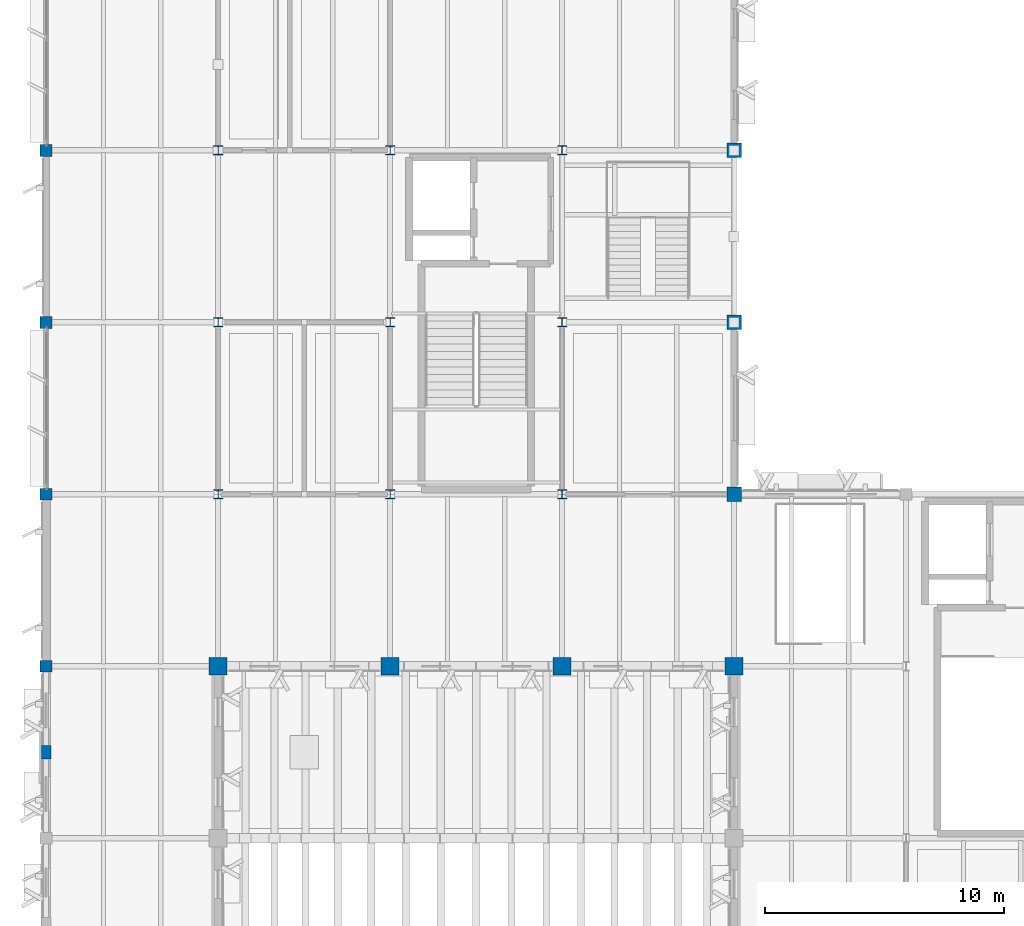
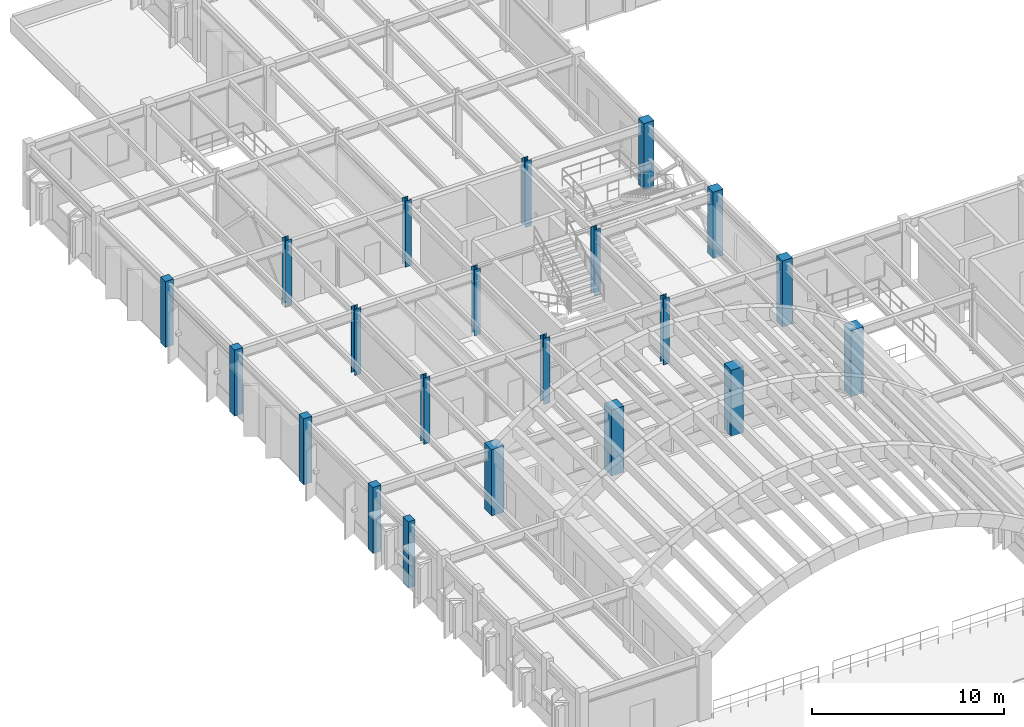
# One storey, part 3 of 85: 21 columns.
"""IFC4 building model written with IfcOpenShell, lengths in metres."""

from ifc_helpers import new_model, si_unit, direction, frame, origin, origin_2d, place, context, subcontext, project, spatial, rectangle, i_section, extrude, material, material_profile, profile_set, type_object, element, save


model = new_model("IFC4")

# Units and contexts
model_context = context("Model", 3, precision=1e-05, world=origin(), true_north=direction((0.0, 1.0)))
body_context = subcontext(model_context, "Body", "Model", "MODEL_VIEW")
ifc_project = project(units=[si_unit("LENGTHUNIT", "METRE"), si_unit("AREAUNIT", "SQUARE_METRE"), si_unit("VOLUMEUNIT", "CUBIC_METRE"), si_unit("PLANEANGLEUNIT", "RADIAN"), si_unit("MASSUNIT", "GRAM", prefix="KILO")], contexts=[model_context])

# Site, building, storey
site_placement = place(None, origin())
site = spatial("IfcSite", under=ifc_project, at=site_placement, CompositionType="ELEMENT")
building_placement = place(site_placement, origin())
building = spatial("IfcBuilding", under=site, at=building_placement, Name="Sillqori Civic Hall", CompositionType="ELEMENT")
storey_placement = place(building_placement, frame((0.0, 0.0, 9.89990234375)))
storey = spatial("IfcBuildingStorey", under=building, at=storey_placement, Name="L03", CompositionType="ELEMENT", Elevation=9.89990234375)

# Columns
ifc_material_1 = material(Name="Concrete C35/45 (H35)", Category="concrete")
ifc_material_profile_1 = material_profile(ifc_material_1, rectangle(XDim=0.5, YDim=0.5, at=origin_2d()), Name="RC 500x500")
ifc_profile_set_1 = profile_set([ifc_material_profile_1], Name="Concrete C35/45 (H35)")
column_type_1 = type_object("IfcColumnType", Name="COL-RC500", PredefinedType="COLUMN", material=ifc_profile_set_1)
for number, where, z_axis, x_axis, name in (
    (1, (7.199951171875, 43.199951171875, 0.0), (0.0, 0.0, 1.0), (1.0, 0.0, 0.0), "L03 column 1-6"),
    (2, (7.199951171875, 50.39990234375, 0.0), (0.0, 0.0, 1.0), (1.0, 0.0, 0.0), "L03 column 1-7"),
    (3, (7.199951171875, 57.60009765625, 0.0), (0.0, 0.0, 1.0), (1.0, 0.0, 0.0), "L03 column 1-8"),
    (4, (7.199951171875, 64.800048828125, 0.0), (0.0, 0.0, 1.0), (1.0, 0.0, 0.0), "L03 column 1-9"),
):
    element("IfcColumn", number, at=place(storey_placement, frame(where, z_axis=z_axis, x_axis=x_axis)), inside=storey, type_object=column_type_1, Name=name, PredefinedType="COLUMN", context=body_context, shape_type="SweptSolid", body=[
        extrude(rectangle(XDim=0.5, YDim=0.5, at=origin_2d()), origin(), (0.0, 0.0, 1.0), 4.2001953125),
    ])
ifc_material_profile_2 = material_profile(ifc_material_1, rectangle(XDim=0.60009765625, YDim=0.60009765625, at=origin_2d()), Name="RC 600x600")
ifc_profile_set_2 = profile_set([ifc_material_profile_2], Name="Concrete C35/45 (H35)")
column_type_2 = type_object("IfcColumnType", Name="COL-RC600", PredefinedType="COLUMN", material=ifc_profile_set_2)
for number, where, z_axis, x_axis, name in (
    (5, (36.0, 50.39990234375, 0.0), (0.0, 0.0, 1.0), (1.0, 0.0, 0.0), "L03 column 5-7"),
    (6, (36.0, 57.60009765625, 0.0), (0.0, 0.0, 1.0), (1.0, 0.0, 0.0), "L03 column 5-8"),
    (7, (36.0, 64.800048828125, 0.0), (0.0, 0.0, 1.0), (1.0, 0.0, 0.0), "L03 column 5-9"),
):
    element("IfcColumn", number, at=place(storey_placement, frame(where, z_axis=z_axis, x_axis=x_axis)), inside=storey, type_object=column_type_2, Name=name, PredefinedType="COLUMN", context=body_context, shape_type="SweptSolid", body=[
        extrude(rectangle(XDim=0.60009765625, YDim=0.60009765625, at=origin_2d()), origin(), (0.0, 0.0, 1.0), 4.2001953125),
    ])
ifc_material_profile_3 = material_profile(ifc_material_1, rectangle(XDim=0.75, YDim=0.75, at=origin_2d()), Name="RC 750x750")
ifc_profile_set_3 = profile_set([ifc_material_profile_3], Name="Concrete C35/45 (H35)")
column_type_3 = type_object("IfcColumnType", Name="COL-RC750", PredefinedType="COLUMN", material=ifc_profile_set_3)
for number, where, z_axis, x_axis, name in (
    (8, (14.39990234375, 43.199951171875, 0.0), (0.0, 0.0, 1.0), (1.0, 0.0, 0.0), "L03 column 2-6"),
    (9, (21.60009765625, 43.199951171875, 0.0), (0.0, 0.0, 1.0), (1.0, 0.0, 0.0), "L03 column 3-6"),
    (10, (28.800048828125, 43.199951171875, 0.0), (0.0, 0.0, 1.0), (1.0, 0.0, 0.0), "L03 column 4-6"),
    (11, (36.0, 43.199951171875, 0.0), (0.0, 0.0, 1.0), (1.0, 0.0, 0.0), "L03 column 5-6"),
):
    element("IfcColumn", number, at=place(storey_placement, frame(where, z_axis=z_axis, x_axis=x_axis)), inside=storey, type_object=column_type_3, Name=name, PredefinedType="COLUMN", context=body_context, shape_type="SweptSolid", body=[
        extrude(rectangle(XDim=0.75, YDim=0.75, at=origin_2d()), origin(), (0.0, 0.0, 1.0), 4.2001953125),
    ])
ifc_material_2 = material(Name="Steel ASTM A992", Category="steel")
ifc_material_profile_4 = material_profile(ifc_material_2, i_section(OverallWidth=0.373046875, OverallDepth=0.367919921875, WebThickness=0.014892578125, FlangeThickness=0.02392578125, FilletRadius=0.014892578125, at=origin_2d()), Name="W14X120")
ifc_profile_set_4 = profile_set([ifc_material_profile_4], Name="Steel ASTM A992")
column_type_4 = type_object("IfcColumnType", Name="COL-W14X120", PredefinedType="COLUMN", material=ifc_profile_set_4)
for number, where, z_axis, x_axis, name in (
    (12, (14.39990234375, 50.39990234375, 0.0), (0.0, 0.0, 1.0), (1.0, 0.0, 0.0), "L03 column 2-7"),
    (13, (14.39990234375, 57.60009765625, 0.0), (0.0, 0.0, 1.0), (1.0, 0.0, 0.0), "L03 column 2-8"),
    (14, (14.39990234375, 64.800048828125, 0.0), (0.0, 0.0, 1.0), (1.0, 0.0, 0.0), "L03 column 2-9"),
    (15, (21.60009765625, 50.39990234375, 0.0), (0.0, 0.0, 1.0), (1.0, 0.0, 0.0), "L03 column 3-7"),
    (16, (21.60009765625, 57.60009765625, 0.0), (0.0, 0.0, 1.0), (1.0, 0.0, 0.0), "L03 column 3-8"),
    (17, (21.60009765625, 64.800048828125, 0.0), (0.0, 0.0, 1.0), (1.0, 0.0, 0.0), "L03 column 3-9"),
    (18, (28.800048828125, 50.39990234375, 0.0), (0.0, 0.0, 1.0), (1.0, 0.0, 0.0), "L03 column 4-7"),
    (19, (28.800048828125, 57.60009765625, 0.0), (0.0, 0.0, 1.0), (1.0, 0.0, 0.0), "L03 column 4-8"),
    (20, (28.800048828125, 64.800048828125, 0.0), (0.0, 0.0, 1.0), (1.0, 0.0, 0.0), "L03 column 4-9"),
):
    element("IfcColumn", number, at=place(storey_placement, frame(where, z_axis=z_axis, x_axis=x_axis)), inside=storey, type_object=column_type_4, Name=name, PredefinedType="COLUMN", context=body_context, shape_type="SweptSolid", body=[
        extrude(i_section(OverallWidth=0.373046875, OverallDepth=0.367919921875, WebThickness=0.014892578125, FlangeThickness=0.02392578125, FilletRadius=0.014892578125, at=origin_2d()), origin(), (0.0, 0.0, 1.0), 4.2001953125),
    ])
ifc_material_profile_5 = material_profile(ifc_material_1, rectangle(XDim=0.39990234375, YDim=0.550048828125, at=origin_2d()), Name="RC 400x550")
ifc_profile_set_5 = profile_set([ifc_material_profile_5], Name="Concrete C35/45 (H35)")
column_type_5 = type_object("IfcColumnType", Name="PIL-RC400", PredefinedType="PILASTER", material=ifc_profile_set_5)
column_placement = place(storey_placement, frame((7.199951171875, 39.60009765625, 0.0), z_axis=(0.0, 0.0, 1.0), x_axis=(1.0, 0.0, 0.0)))
element("IfcColumn", 21, at=column_placement, inside=storey, type_object=column_type_5, Name="L03 facade pilaster 05", PredefinedType="PILASTER", context=body_context, shape_type="SweptSolid", body=[
    extrude(rectangle(XDim=0.39990234375, YDim=0.550048828125, at=origin_2d()), origin(), (0.0, 0.0, 1.0), 4.2001953125),
])

save(model, "model.ifc")
